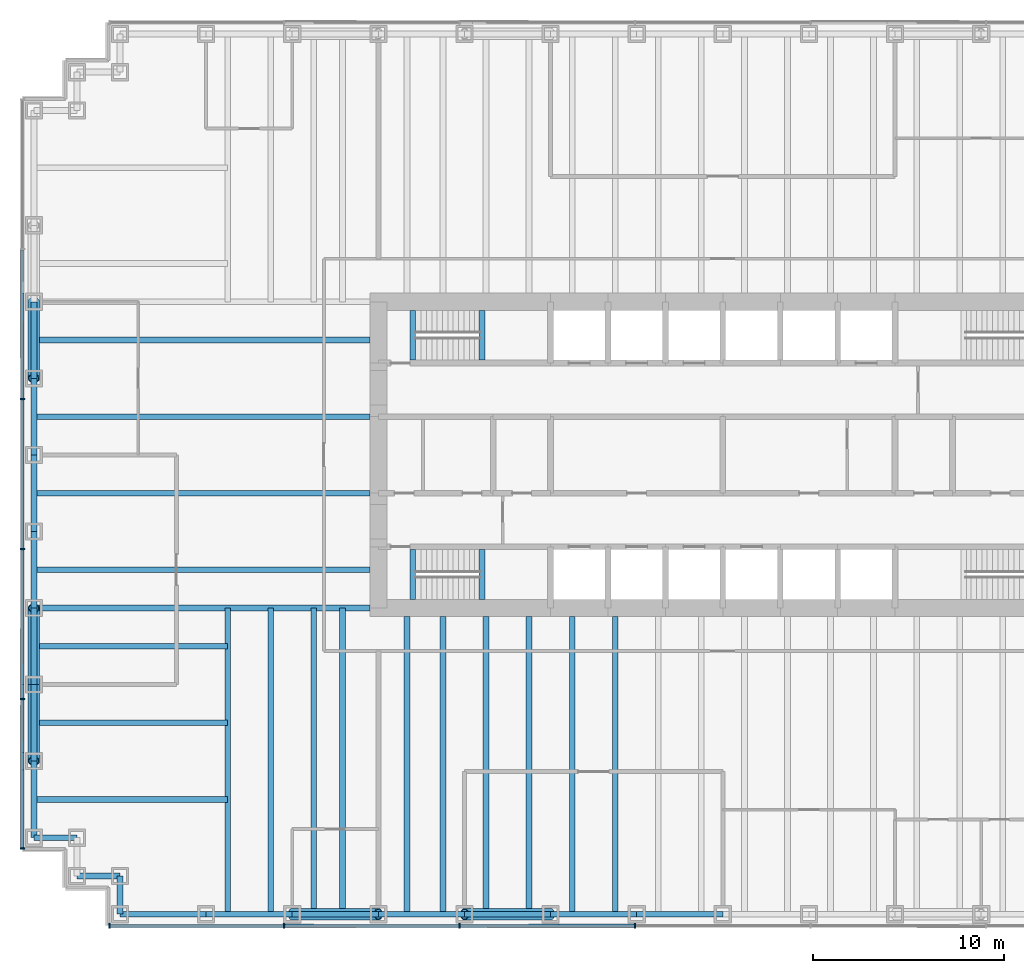
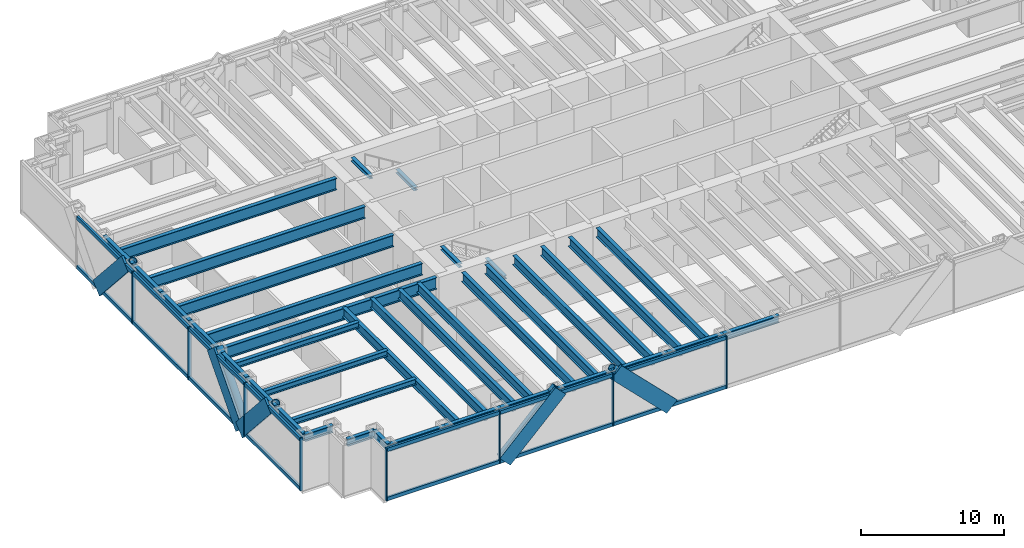
# One storey, part 2 of 13: 39 beams, 32 members, 2 elements without a shape of their own.
"""IFC4 building model written with IfcOpenShell, lengths in metres."""

from ifc_helpers import new_model, si_unit, direction, frame, origin, origin_2d, place, context, subcontext, project, spatial, rectangle, hollow_circle, i_section, extrude, material, material_profile, profile_set, type_object, element, aggregate, save


model = new_model("IFC4")

# Units and contexts
model_context = context("Model", 3, precision=1e-05, world=origin(), true_north=direction((0.0, 1.0)))
body_context = subcontext(model_context, "Body", "Model", "MODEL_VIEW")
ifc_project = project(units=[si_unit("LENGTHUNIT", "METRE"), si_unit("AREAUNIT", "SQUARE_METRE"), si_unit("VOLUMEUNIT", "CUBIC_METRE"), si_unit("PLANEANGLEUNIT", "RADIAN"), si_unit("MASSUNIT", "GRAM", prefix="KILO")], contexts=[model_context])

# Site, building, storey
site_placement = place(None, origin())
site = spatial("IfcSite", under=ifc_project, at=site_placement, CompositionType="ELEMENT")
building_placement = place(site_placement, origin())
building = spatial("IfcBuilding", under=site, at=building_placement, Name="Rheinbord Bourse Tower", CompositionType="ELEMENT")
storey_placement = place(building_placement, frame((0.0, 0.0, 72.5)))
storey = spatial("IfcBuildingStorey", under=building, at=storey_placement, Name="L15", CompositionType="ELEMENT", Elevation=72.5)

# Curtain wall, members
ifc_material_1 = material(Name="Dark glass and black aluminium", Category="aluminium")
curtain_wall_type = type_object("IfcCurtainWallType", Name="CW1 DARK GLASS CURTAIN WALL", PredefinedType="USERDEFINED", material=ifc_material_1)
curtain_wall_1_placement = place(storey_placement, origin())
curtain_wall_1 = element("IfcCurtainWall", 1, at=curtain_wall_1_placement, inside=storey, type_object=curtain_wall_type, Name="Curtain wall CW1 S L15", ObjectType="UNITISED CURTAIN WALL", PredefinedType="USERDEFINED")
ifc_material_2 = material(Name="Black anodised aluminium", Category="aluminium")
ifc_material_profile_1 = material_profile(ifc_material_2, rectangle(XDim=0.179931640625, YDim=1.2099609375, at=origin_2d()), Name="CW1 DIAGONAL MULLION 1210x180")
ifc_profile_set_1 = profile_set([ifc_material_profile_1], Name="Black anodised aluminium")
member_type_1 = type_object("IfcMemberType", Name="CW1 BLACK DIAGONAL MULLION", PredefinedType="USERDEFINED", material=ifc_profile_set_1)
member_1_placement = place(storey_placement, frame((13.5, -0.60009765625, 0.0), z_axis=(0.707106781187, 0.0, 0.707106781187), x_axis=(0.0, 1.0, 0.0)))
member_1 = element("IfcMember", 2, at=member_1_placement, type_object=member_type_1, Name="CW1 diagonal mullion b", ObjectType="DIAGONAL MULLION", PredefinedType="USERDEFINED", context=body_context, shape_type="SweptSolid", body=[
    extrude(rectangle(XDim=0.179931640625, YDim=1.2099609375, at=origin_2d()), origin(), (0.0, 0.0, 1.0), 6.364013671875),
])
member_2_placement = place(storey_placement, frame((27.0, -0.60009765625, 0.0), z_axis=(-0.707106781187, 0.0, 0.707106781187), x_axis=(0.0, -1.0, 0.0)))
member_2 = element("IfcMember", 3, at=member_2_placement, type_object=member_type_1, Name="CW1 diagonal mullion c", ObjectType="DIAGONAL MULLION", PredefinedType="USERDEFINED", context=body_context, shape_type="SweptSolid", body=[
    extrude(rectangle(XDim=0.179931640625, YDim=1.2099609375, at=origin_2d()), origin(), (0.0, 0.0, 1.0), 6.364013671875),
])

curtain_wall_2_placement = place(storey_placement, origin())
curtain_wall_2 = element("IfcCurtainWall", 4, at=curtain_wall_2_placement, inside=storey, type_object=curtain_wall_type, Name="Curtain wall CW1 W L15", ObjectType="UNITISED CURTAIN WALL", PredefinedType="USERDEFINED")
member_3_placement = place(storey_placement, frame((-0.60009765625, 12.0, 0.0), z_axis=(0.0, -0.66436383883, 0.747409318684), x_axis=(1.0, 0.0, 0.0)))
member_3 = element("IfcMember", 5, at=member_3_placement, type_object=member_type_1, Name="CW1 diagonal mullion a", ObjectType="DIAGONAL MULLION", PredefinedType="USERDEFINED", context=body_context, shape_type="SweptSolid", body=[
    extrude(rectangle(XDim=0.179931640625, YDim=1.2099609375, at=origin_2d()), origin(), (0.0, 0.0, 1.0), 6.020751953125),
])
member_4_placement = place(storey_placement, frame((-0.60009765625, 12.0, 0.0), z_axis=(0.0, 0.66436383883, 0.747409318684), x_axis=(-1.0, 0.0, 0.0)))
member_4 = element("IfcMember", 6, at=member_4_placement, type_object=member_type_1, Name="CW1 diagonal mullion c", ObjectType="DIAGONAL MULLION", PredefinedType="USERDEFINED", context=body_context, shape_type="SweptSolid", body=[
    extrude(rectangle(XDim=0.179931640625, YDim=1.2099609375, at=origin_2d()), origin(), (0.0, 0.0, 1.0), 6.020751953125),
])
member_5_placement = place(storey_placement, frame((-0.60009765625, 32.0, 0.0), z_axis=(0.0, -0.66436383883, 0.747409318684), x_axis=(1.0, 0.0, 0.0)))
member_5 = element("IfcMember", 7, at=member_5_placement, type_object=member_type_1, Name="CW1 diagonal mullion d", ObjectType="DIAGONAL MULLION", PredefinedType="USERDEFINED", context=body_context, shape_type="SweptSolid", body=[
    extrude(rectangle(XDim=0.179931640625, YDim=1.2099609375, at=origin_2d()), origin(), (0.0, 0.0, 1.0), 6.020751953125),
])

# Member
ifc_material_3 = material(Name="Black anodised aluminium", Category="aluminium")
ifc_material_profile_2 = material_profile(ifc_material_3, rectangle(XDim=0.25, YDim=0.080078125, at=origin_2d()), Name="CW1 MULLION 80x250")
ifc_profile_set_2 = profile_set([ifc_material_profile_2], Name="Black anodised aluminium")
member_type_2 = type_object("IfcMemberType", Name="CW1 BLACK MULLION", PredefinedType="MULLION", material=ifc_profile_set_2)
member_6_placement = place(storey_placement, frame((3.93994140625, -0.60009765625, 0.0), z_axis=(0.0, 0.0, 1.0), x_axis=(0.0, 1.0, 0.0)))
member_6 = element("IfcMember", 8, at=member_6_placement, type_object=member_type_2, Name="CW1 mullion 1", PredefinedType="MULLION", context=body_context, shape_type="SweptSolid", body=[
    extrude(rectangle(XDim=0.25, YDim=0.080078125, at=origin_2d()), origin(), (0.0, 0.0, 1.0), 4.5),
])

member_7_placement = place(storey_placement, frame((13.071533203125, -0.60009765625, 0.0), z_axis=(0.0, 0.0, 1.0), x_axis=(0.0, 1.0, 0.0)))
member_7 = element("IfcMember", 9, at=member_7_placement, type_object=member_type_2, Name="CW1 mullion 2", PredefinedType="MULLION", context=body_context, shape_type="SweptSolid", body=[
    extrude(rectangle(XDim=0.25, YDim=0.080078125, at=origin_2d()), origin(), (0.0, 0.0, 1.0), 4.5),
])

member_8_placement = place(storey_placement, frame((22.242919921875, -0.60009765625, 0.0), z_axis=(0.0, 0.0, 1.0), x_axis=(0.0, 1.0, 0.0)))
member_8 = element("IfcMember", 10, at=member_8_placement, type_object=member_type_2, Name="CW1 mullion 3", PredefinedType="MULLION", context=body_context, shape_type="SweptSolid", body=[
    extrude(rectangle(XDim=0.25, YDim=0.080078125, at=origin_2d()), origin(), (0.0, 0.0, 1.0), 4.5),
])

member_9_placement = place(storey_placement, frame((31.414306640625, -0.60009765625, 0.0), z_axis=(0.0, 0.0, 1.0), x_axis=(0.0, 1.0, 0.0)))
member_9 = element("IfcMember", 11, at=member_9_placement, type_object=member_type_2, Name="CW1 mullion 4", PredefinedType="MULLION", context=body_context, shape_type="SweptSolid", body=[
    extrude(rectangle(XDim=0.25, YDim=0.080078125, at=origin_2d()), origin(), (0.0, 0.0, 1.0), 4.5),
])

member_10_placement = place(storey_placement, frame((-0.60009765625, 26.919921875, 0.0), z_axis=(0.0, 0.0, 1.0), x_axis=(1.0, 0.0, 0.0)))
member_10 = element("IfcMember", 12, at=member_10_placement, type_object=member_type_2, Name="CW1 mullion 3", PredefinedType="MULLION", context=body_context, shape_type="SweptSolid", body=[
    extrude(rectangle(XDim=0.25, YDim=0.080078125, at=origin_2d()), origin(), (0.0, 0.0, 1.0), 4.5),
])

member_11_placement = place(storey_placement, frame((-0.60009765625, 19.080078125, 0.0), z_axis=(0.0, 0.0, 1.0), x_axis=(1.0, 0.0, 0.0)))
member_11 = element("IfcMember", 13, at=member_11_placement, type_object=member_type_2, Name="CW1 mullion 4", PredefinedType="MULLION", context=body_context, shape_type="SweptSolid", body=[
    extrude(rectangle(XDim=0.25, YDim=0.080078125, at=origin_2d()), origin(), (0.0, 0.0, 1.0), 4.5),
])

member_12_placement = place(storey_placement, frame((-0.60009765625, 11.239990234375, 0.0), z_axis=(0.0, 0.0, 1.0), x_axis=(1.0, 0.0, 0.0)))
member_12 = element("IfcMember", 14, at=member_12_placement, type_object=member_type_2, Name="CW1 mullion 5", PredefinedType="MULLION", context=body_context, shape_type="SweptSolid", body=[
    extrude(rectangle(XDim=0.25, YDim=0.080078125, at=origin_2d()), origin(), (0.0, 0.0, 1.0), 4.5),
])

member_13_placement = place(storey_placement, frame((-0.60009765625, 3.43994140625, 0.0), z_axis=(0.0, 0.0, 1.0), x_axis=(1.0, 0.0, 0.0)))
member_13 = element("IfcMember", 15, at=member_13_placement, type_object=member_type_2, Name="CW1 mullion 6", PredefinedType="MULLION", context=body_context, shape_type="SweptSolid", body=[
    extrude(rectangle(XDim=0.25, YDim=0.080078125, at=origin_2d()), origin(), (0.0, 0.0, 1.0), 4.5),
])

ifc_material_4 = material(Name="Black anodised aluminium", Category="aluminium")
ifc_material_profile_3 = material_profile(ifc_material_4, rectangle(XDim=0.179931640625, YDim=0.300048828125, at=origin_2d()), Name="CW1 TRANSOM 300x180")
ifc_profile_set_3 = profile_set([ifc_material_profile_3], Name="Black anodised aluminium")
member_type_3 = type_object("IfcMemberType", Name="CW1 BLACK TRANSOM", PredefinedType="USERDEFINED", material=ifc_profile_set_3)
member_14_placement = place(storey_placement, frame((3.97998046875, -0.60009765625, 0.14990234375), z_axis=(1.0, 0.0, 0.0), x_axis=(0.0, 1.0, 0.0)))
member_14 = element("IfcMember", 16, at=member_14_placement, type_object=member_type_3, Name="CW1 transom 1.1", ObjectType="TRANSOM", PredefinedType="USERDEFINED", context=body_context, shape_type="SweptSolid", body=[
    extrude(rectangle(XDim=0.179931640625, YDim=0.300048828125, at=origin_2d()), origin(), (0.0, 0.0, 1.0), 9.051513671875),
])

member_15_placement = place(storey_placement, frame((3.97998046875, -0.60009765625, 4.35009765625), z_axis=(1.0, 0.0, 0.0), x_axis=(0.0, 1.0, 0.0)))
member_15 = element("IfcMember", 17, at=member_15_placement, type_object=member_type_3, Name="CW1 transom 1.2", ObjectType="TRANSOM", PredefinedType="USERDEFINED", context=body_context, shape_type="SweptSolid", body=[
    extrude(rectangle(XDim=0.179931640625, YDim=0.300048828125, at=origin_2d()), origin(), (0.0, 0.0, 1.0), 9.051513671875),
])

member_16_placement = place(storey_placement, frame((13.111328125, -0.60009765625, 0.14990234375), z_axis=(1.0, 0.0, 0.0), x_axis=(0.0, 1.0, 0.0)))
member_16 = element("IfcMember", 18, at=member_16_placement, type_object=member_type_3, Name="CW1 transom 2.1", ObjectType="TRANSOM", PredefinedType="USERDEFINED", context=body_context, shape_type="SweptSolid", body=[
    extrude(rectangle(XDim=0.179931640625, YDim=0.300048828125, at=origin_2d()), origin(), (0.0, 0.0, 1.0), 9.091552734375),
])

member_17_placement = place(storey_placement, frame((13.111328125, -0.60009765625, 4.35009765625), z_axis=(1.0, 0.0, 0.0), x_axis=(0.0, 1.0, 0.0)))
member_17 = element("IfcMember", 19, at=member_17_placement, type_object=member_type_3, Name="CW1 transom 2.2", ObjectType="TRANSOM", PredefinedType="USERDEFINED", context=body_context, shape_type="SweptSolid", body=[
    extrude(rectangle(XDim=0.179931640625, YDim=0.300048828125, at=origin_2d()), origin(), (0.0, 0.0, 1.0), 9.091552734375),
])

member_18_placement = place(storey_placement, frame((22.282958984375, -0.60009765625, 0.14990234375), z_axis=(1.0, 0.0, 0.0), x_axis=(0.0, 1.0, 0.0)))
member_18 = element("IfcMember", 20, at=member_18_placement, type_object=member_type_3, Name="CW1 transom 3.1", ObjectType="TRANSOM", PredefinedType="USERDEFINED", context=body_context, shape_type="SweptSolid", body=[
    extrude(rectangle(XDim=0.179931640625, YDim=0.300048828125, at=origin_2d()), origin(), (0.0, 0.0, 1.0), 9.09130859375),
])

member_19_placement = place(storey_placement, frame((22.282958984375, -0.60009765625, 4.35009765625), z_axis=(1.0, 0.0, 0.0), x_axis=(0.0, 1.0, 0.0)))
member_19 = element("IfcMember", 21, at=member_19_placement, type_object=member_type_3, Name="CW1 transom 3.2", ObjectType="TRANSOM", PredefinedType="USERDEFINED", context=body_context, shape_type="SweptSolid", body=[
    extrude(rectangle(XDim=0.179931640625, YDim=0.300048828125, at=origin_2d()), origin(), (0.0, 0.0, 1.0), 9.09130859375),
])

aggregate(curtain_wall_1, [member_6, member_7, member_8, member_9, member_14, member_15, member_16, member_17, member_18, member_19, member_1, member_2])

member_20_placement = place(storey_placement, frame((-0.60009765625, 34.719970703125, 0.14990234375), z_axis=(0.0, -1.0, 0.0), x_axis=(1.0, 0.0, 0.0)))
member_20 = element("IfcMember", 22, at=member_20_placement, type_object=member_type_3, Name="CW1 transom 2.1", ObjectType="TRANSOM", PredefinedType="USERDEFINED", context=body_context, shape_type="SweptSolid", body=[
    extrude(rectangle(XDim=0.179931640625, YDim=0.300048828125, at=origin_2d()), origin(), (0.0, 0.0, 1.0), 7.760009765625),
])

member_21_placement = place(storey_placement, frame((-0.60009765625, 34.719970703125, 4.35009765625), z_axis=(0.0, -1.0, 0.0), x_axis=(1.0, 0.0, 0.0)))
member_21 = element("IfcMember", 23, at=member_21_placement, type_object=member_type_3, Name="CW1 transom 2.2", ObjectType="TRANSOM", PredefinedType="USERDEFINED", context=body_context, shape_type="SweptSolid", body=[
    extrude(rectangle(XDim=0.179931640625, YDim=0.300048828125, at=origin_2d()), origin(), (0.0, 0.0, 1.0), 7.760009765625),
])

member_22_placement = place(storey_placement, frame((-0.60009765625, 26.8798828125, 0.14990234375), z_axis=(0.0, -1.0, 0.0), x_axis=(1.0, 0.0, 0.0)))
member_22 = element("IfcMember", 24, at=member_22_placement, type_object=member_type_3, Name="CW1 transom 3.1", ObjectType="TRANSOM", PredefinedType="USERDEFINED", context=body_context, shape_type="SweptSolid", body=[
    extrude(rectangle(XDim=0.179931640625, YDim=0.300048828125, at=origin_2d()), origin(), (0.0, 0.0, 1.0), 7.759765625),
])

member_23_placement = place(storey_placement, frame((-0.60009765625, 26.8798828125, 4.35009765625), z_axis=(0.0, -1.0, 0.0), x_axis=(1.0, 0.0, 0.0)))
member_23 = element("IfcMember", 25, at=member_23_placement, type_object=member_type_3, Name="CW1 transom 3.2", ObjectType="TRANSOM", PredefinedType="USERDEFINED", context=body_context, shape_type="SweptSolid", body=[
    extrude(rectangle(XDim=0.179931640625, YDim=0.300048828125, at=origin_2d()), origin(), (0.0, 0.0, 1.0), 7.759765625),
])

member_24_placement = place(storey_placement, frame((-0.60009765625, 19.0400390625, 0.14990234375), z_axis=(0.0, -1.0, 0.0), x_axis=(1.0, 0.0, 0.0)))
member_24 = element("IfcMember", 26, at=member_24_placement, type_object=member_type_3, Name="CW1 transom 4.1", ObjectType="TRANSOM", PredefinedType="USERDEFINED", context=body_context, shape_type="SweptSolid", body=[
    extrude(rectangle(XDim=0.179931640625, YDim=0.300048828125, at=origin_2d()), origin(), (0.0, 0.0, 1.0), 7.760009765625),
])

member_25_placement = place(storey_placement, frame((-0.60009765625, 19.0400390625, 4.35009765625), z_axis=(0.0, -1.0, 0.0), x_axis=(1.0, 0.0, 0.0)))
member_25 = element("IfcMember", 27, at=member_25_placement, type_object=member_type_3, Name="CW1 transom 4.2", ObjectType="TRANSOM", PredefinedType="USERDEFINED", context=body_context, shape_type="SweptSolid", body=[
    extrude(rectangle(XDim=0.179931640625, YDim=0.300048828125, at=origin_2d()), origin(), (0.0, 0.0, 1.0), 7.760009765625),
])

member_26_placement = place(storey_placement, frame((-0.60009765625, 11.199951171875, 0.14990234375), z_axis=(0.0, -1.0, 0.0), x_axis=(1.0, 0.0, 0.0)))
member_26 = element("IfcMember", 28, at=member_26_placement, type_object=member_type_3, Name="CW1 transom 5.1", ObjectType="TRANSOM", PredefinedType="USERDEFINED", context=body_context, shape_type="SweptSolid", body=[
    extrude(rectangle(XDim=0.179931640625, YDim=0.300048828125, at=origin_2d()), origin(), (0.0, 0.0, 1.0), 7.719970703125),
])

member_27_placement = place(storey_placement, frame((-0.60009765625, 11.199951171875, 4.35009765625), z_axis=(0.0, -1.0, 0.0), x_axis=(1.0, 0.0, 0.0)))
member_27 = element("IfcMember", 29, at=member_27_placement, type_object=member_type_3, Name="CW1 transom 5.2", ObjectType="TRANSOM", PredefinedType="USERDEFINED", context=body_context, shape_type="SweptSolid", body=[
    extrude(rectangle(XDim=0.179931640625, YDim=0.300048828125, at=origin_2d()), origin(), (0.0, 0.0, 1.0), 7.719970703125),
])

aggregate(curtain_wall_2, [member_10, member_11, member_12, member_13, member_20, member_21, member_22, member_23, member_24, member_25, member_26, member_27, member_3, member_4, member_5])

# Beams
ifc_material_5 = material(Name="Steel S460", Category="steel")
ifc_material_profile_4 = material_profile(ifc_material_5, i_section(OverallWidth=0.302001953125, OverallDepth=1.008056640625, WebThickness=0.02099609375, FlangeThickness=0.0400390625, at=origin_2d()), Name="HEM 1000")
ifc_profile_set_4 = profile_set([ifc_material_profile_4], Name="Steel S460")
beam_type_1 = type_object("IfcBeamType", Name="END BEAM HEM 1000", PredefinedType="BEAM", material=ifc_profile_set_4)
for number, where, z_axis, x_axis, name in (
    (30, (0.0, 18.0, 3.81591796875), (1.0, 0.0, 0.0), (0.0, 1.0, 0.0), "End beam west 18 L16"),
    (31, (0.0, 22.0, 3.81591796875), (1.0, 0.0, 0.0), (0.0, 1.0, 0.0), "End beam west 22 L16"),
    (32, (0.0, 26.0, 3.81591796875), (1.0, 0.0, 0.0), (0.0, 1.0, 0.0), "End beam west 26 L16"),
    (33, (0.0, 30.0, 3.81591796875), (1.0, 0.0, 0.0), (0.0, 1.0, 0.0), "End beam west 30 L16"),
):
    element("IfcBeam", number, at=place(storey_placement, frame(where, z_axis=z_axis, x_axis=x_axis)), inside=storey, type_object=beam_type_1, Name=name, PredefinedType="BEAM", context=body_context, shape_type="SweptSolid", body=[
        extrude(i_section(OverallWidth=0.302001953125, OverallDepth=1.008056640625, WebThickness=0.02099609375, FlangeThickness=0.0400390625, at=origin_2d()), origin(), (0.0, 0.0, 1.0), 17.550048828125),
    ])
ifc_material_6 = material(Name="Steel S460", Category="steel")
ifc_material_profile_5 = material_profile(ifc_material_6, i_section(OverallWidth=0.300048828125, OverallDepth=0.800048828125, WebThickness=0.017578125, FlangeThickness=0.032958984375, at=origin_2d()), Name="HEB 800")
ifc_profile_set_5 = profile_set([ifc_material_profile_5], Name="Steel S460")
beam_type_2 = type_object("IfcBeamType", Name="FLOOR BEAM HEB 800", PredefinedType="BEAM", material=ifc_profile_set_5)
for number, where, z_axis, x_axis, name in (
    (34, (10.125, 0.0, 3.919921875), (0.0, 1.0, 0.0), (-1.0, 0.0, 0.0), "Floor beam S-9a L16"),
    (35, (12.375, 0.0, 3.919921875), (0.0, 1.0, 0.0), (-1.0, 0.0, 0.0), "Floor beam S-9b L16"),
    (36, (14.625, 0.0, 3.919921875), (0.0, 1.0, 0.0), (-1.0, 0.0, 0.0), "Floor beam S-13.5a L16"),
    (37, (16.125, 0.0, 3.919921875), (0.0, 1.0, 0.0), (-1.0, 0.0, 0.0), "Floor beam S-13.5b L16"),
):
    element("IfcBeam", number, at=place(storey_placement, frame(where, z_axis=z_axis, x_axis=x_axis)), inside=storey, type_object=beam_type_2, Name=name, PredefinedType="BEAM", context=body_context, shape_type="SweptSolid", body=[
        extrude(i_section(OverallWidth=0.300048828125, OverallDepth=0.800048828125, WebThickness=0.017578125, FlangeThickness=0.032958984375, at=origin_2d()), origin(), (0.0, 0.0, 1.0), 16.0),
    ])
for number, where, z_axis, x_axis, name in (
    (38, (19.5, 0.0, 3.919921875), (0.0, 1.0, 0.0), (-1.0, 0.0, 0.0), "Floor beam S-18a L16"),
    (39, (21.375, 0.0, 3.919921875), (0.0, 1.0, 0.0), (-1.0, 0.0, 0.0), "Floor beam S-18b L16"),
    (40, (23.625, 0.0, 3.919921875), (0.0, 1.0, 0.0), (-1.0, 0.0, 0.0), "Floor beam S-22.5a L16"),
    (41, (25.875, 0.0, 3.919921875), (0.0, 1.0, 0.0), (-1.0, 0.0, 0.0), "Floor beam S-22.5b L16"),
    (42, (28.125, 0.0, 3.919921875), (0.0, 1.0, 0.0), (-1.0, 0.0, 0.0), "Floor beam S-27a L16"),
    (43, (30.375, 0.0, 3.919921875), (0.0, 1.0, 0.0), (-1.0, 0.0, 0.0), "Floor beam S-27b L16"),
):
    element("IfcBeam", number, at=place(storey_placement, frame(where, z_axis=z_axis, x_axis=x_axis)), inside=storey, type_object=beam_type_2, Name=name, PredefinedType="BEAM", context=body_context, shape_type="SweptSolid", body=[
        extrude(i_section(OverallWidth=0.300048828125, OverallDepth=0.800048828125, WebThickness=0.017578125, FlangeThickness=0.032958984375, at=origin_2d()), origin(), (0.0, 0.0, 1.0), 15.550048828125),
    ])
ifc_material_7 = material(Name="Steel S460", Category="steel")
ifc_material_profile_6 = material_profile(ifc_material_7, i_section(OverallWidth=0.302001953125, OverallDepth=1.008056640625, WebThickness=0.02099609375, FlangeThickness=0.0400390625, at=origin_2d()), Name="HEM 1000")
ifc_profile_set_6 = profile_set([ifc_material_profile_6], Name="Steel S460")
beam_type_3 = type_object("IfcBeamType", Name="GIRDER HEM 1000", PredefinedType="BEAM", material=ifc_profile_set_6)
beam_1_placement = place(storey_placement, frame((0.0, 16.0, 3.81591796875), z_axis=(1.0, 0.0, 0.0), x_axis=(0.0, 1.0, 0.0)))
element("IfcBeam", 44, at=beam_1_placement, inside=storey, type_object=beam_type_3, Name="Girder west 16 L16", PredefinedType="BEAM", context=body_context, shape_type="SweptSolid", body=[
    extrude(i_section(OverallWidth=0.302001953125, OverallDepth=1.008056640625, WebThickness=0.02099609375, FlangeThickness=0.0400390625, at=origin_2d()), origin(), (0.0, 0.0, 1.0), 17.550048828125),
])
ifc_material_8 = material(Name="Steel S460", Category="steel")
ifc_material_profile_7 = material_profile(ifc_material_8, i_section(OverallWidth=0.300048828125, OverallDepth=0.300048828125, WebThickness=0.010986328125, FlangeThickness=0.01904296875, at=origin_2d()), Name="HEB 300")
ifc_profile_set_7 = profile_set([ifc_material_profile_7], Name="Steel S460")
beam_type_4 = type_object("IfcBeamType", Name="LANDING TRIMMER HEB 300", PredefinedType="BEAM", material=ifc_profile_set_7)
for number, where, z_axis, x_axis, name in (
    (45, (23.409912109375, 16.449951171875, 1.89990234375), (0.0, 1.0, 0.0), (-1.0, 0.0, 0.0), "Landing trimmer ST1 L15"),
    (46, (19.800048828125, 16.449951171875, 4.169921875), (0.0, 1.0, 0.0), (-1.0, 0.0, 0.0), "Well trimmer ST1 under L16"),
    (47, (23.409912109375, 28.949951171875, 1.89990234375), (0.0, 1.0, 0.0), (-1.0, 0.0, 0.0), "Landing trimmer ST2 L15"),
    (48, (19.800048828125, 28.949951171875, 4.169921875), (0.0, 1.0, 0.0), (-1.0, 0.0, 0.0), "Well trimmer ST2 under L16"),
):
    element("IfcBeam", number, at=place(storey_placement, frame(where, z_axis=z_axis, x_axis=x_axis)), inside=storey, type_object=beam_type_4, Name=name, PredefinedType="BEAM", context=body_context, shape_type="SweptSolid", body=[
        extrude(i_section(OverallWidth=0.300048828125, OverallDepth=0.300048828125, WebThickness=0.010986328125, FlangeThickness=0.01904296875, at=origin_2d()), origin(), (0.0, 0.0, 1.0), 2.60009765625),
    ])

# Members
ifc_material_9 = material(Name="Steel S460", Category="steel")
ifc_material_profile_8 = material_profile(ifc_material_9, hollow_circle(Radius=0.304931640625, WallThickness=0.050048828125, at=origin_2d()), Name="CHS 610x50")
ifc_profile_set_8 = profile_set([ifc_material_profile_8], Name="Steel S460")
member_type_4 = type_object("IfcMemberType", Name="MEGABRACE CHS 610x50", PredefinedType="BRACE", material=ifc_profile_set_8)
for number, where, z_axis, x_axis, name in (
    (49, (13.5, 0.0, 0.0), (0.707106781187, 0.0, 0.707106781187), (0.0, 1.0, 0.0), "Megabrace S face line b L15"),
    (50, (27.0, 0.0, 0.0), (-0.707106781187, 0.0, 0.707106781187), (0.0, -1.0, 0.0), "Megabrace S face line c L15"),
):
    element("IfcMember", number, at=place(storey_placement, frame(where, z_axis=z_axis, x_axis=x_axis)), inside=storey, type_object=member_type_4, Name=name, PredefinedType="BRACE", context=body_context, shape_type="SweptSolid", body=[
        extrude(hollow_circle(Radius=0.304931640625, WallThickness=0.050048828125, at=origin_2d()), origin(), (0.0, 0.0, 1.0), 6.364013671875),
    ])
for number, where, z_axis, x_axis, name in (
    (51, (0.0, 12.0, 0.0), (0.0, -0.66436383883, 0.747409318684), (1.0, 0.0, 0.0), "Megabrace W face line a L15"),
    (52, (0.0, 12.0, 0.0), (0.0, 0.66436383883, 0.747409318684), (-1.0, 0.0, 0.0), "Megabrace W face line c L15"),
    (53, (0.0, 32.0, 0.0), (0.0, -0.66436383883, 0.747409318684), (1.0, 0.0, 0.0), "Megabrace W face line d L15"),
):
    element("IfcMember", number, at=place(storey_placement, frame(where, z_axis=z_axis, x_axis=x_axis)), inside=storey, type_object=member_type_4, Name=name, PredefinedType="BRACE", context=body_context, shape_type="SweptSolid", body=[
        extrude(hollow_circle(Radius=0.304931640625, WallThickness=0.050048828125, at=origin_2d()), origin(), (0.0, 0.0, 1.0), 6.020751953125),
    ])

# Beams
ifc_material_10 = material(Name="Steel S460", Category="steel")
ifc_material_profile_9 = material_profile(ifc_material_10, i_section(OverallWidth=0.304931640625, OverallDepth=0.6201171875, WebThickness=0.02099609375, FlangeThickness=0.0400390625, at=origin_2d()), Name="HEM 600")
ifc_profile_set_9 = profile_set([ifc_material_profile_9], Name="Steel S460")
beam_type_5 = type_object("IfcBeamType", Name="SPANDREL HEM 600", PredefinedType="SPANDREL", material=ifc_profile_set_9)
for number, where, z_axis, x_axis, name in (
    (54, (4.5, 0.0, 4.010009765625), (1.0, 0.0, 0.0), (0.0, 1.0, 0.0), "Spandrel SW-E-S-9 under L16"),
    (55, (9.0, 0.0, 4.010009765625), (1.0, 0.0, 0.0), (0.0, 1.0, 0.0), "Spandrel S-9-S-13.5 under L16"),
    (56, (13.5, 0.0, 4.010009765625), (1.0, 0.0, 0.0), (0.0, 1.0, 0.0), "Spandrel S-13.5-S-18 under L16"),
    (57, (18.0, 0.0, 4.010009765625), (1.0, 0.0, 0.0), (0.0, 1.0, 0.0), "Spandrel S-18-S-22.5 under L16"),
    (58, (22.5, 0.0, 4.010009765625), (1.0, 0.0, 0.0), (0.0, 1.0, 0.0), "Spandrel S-22.5-S-27 under L16"),
    (59, (27.0, 0.0, 4.010009765625), (1.0, 0.0, 0.0), (0.0, 1.0, 0.0), "Spandrel S-27-S-31.5 under L16"),
    (60, (31.5, 0.0, 4.010009765625), (1.0, 0.0, 0.0), (0.0, 1.0, 0.0), "Spandrel S-31.5-S-36 under L16"),
):
    element("IfcBeam", number, at=place(storey_placement, frame(where, z_axis=z_axis, x_axis=x_axis)), inside=storey, type_object=beam_type_5, Name=name, PredefinedType="SPANDREL", context=body_context, shape_type="SweptSolid", body=[
        extrude(i_section(OverallWidth=0.304931640625, OverallDepth=0.6201171875, WebThickness=0.02099609375, FlangeThickness=0.0400390625, at=origin_2d()), origin(), (0.0, 0.0, 1.0), 4.5),
    ])
for number, where, z_axis, x_axis, name in (
    (61, (0.0, 32.0, 4.010009765625), (0.0, -1.0, 0.0), (1.0, 0.0, 0.0), "Spandrel W-32-W-28 under L16"),
    (62, (0.0, 28.0, 4.010009765625), (0.0, -1.0, 0.0), (1.0, 0.0, 0.0), "Spandrel W-28-W-24 under L16"),
    (63, (0.0, 24.0, 4.010009765625), (0.0, -1.0, 0.0), (1.0, 0.0, 0.0), "Spandrel W-24-W-20 under L16"),
    (64, (0.0, 20.0, 4.010009765625), (0.0, -1.0, 0.0), (1.0, 0.0, 0.0), "Spandrel W-20-W-16 under L16"),
    (65, (0.0, 16.0, 4.010009765625), (0.0, -1.0, 0.0), (1.0, 0.0, 0.0), "Spandrel W-16-W-12 under L16"),
    (66, (0.0, 12.0, 4.010009765625), (0.0, -1.0, 0.0), (1.0, 0.0, 0.0), "Spandrel W-12-W-8 under L16"),
    (67, (0.0, 8.0, 4.010009765625), (0.0, -1.0, 0.0), (1.0, 0.0, 0.0), "Spandrel W-8-SW-A under L16"),
):
    element("IfcBeam", number, at=place(storey_placement, frame(where, z_axis=z_axis, x_axis=x_axis)), inside=storey, type_object=beam_type_5, Name=name, PredefinedType="SPANDREL", context=body_context, shape_type="SweptSolid", body=[
        extrude(i_section(OverallWidth=0.304931640625, OverallDepth=0.6201171875, WebThickness=0.02099609375, FlangeThickness=0.0400390625, at=origin_2d()), origin(), (0.0, 0.0, 1.0), 4.0),
    ])
for number, where, z_axis, x_axis, name in (
    (68, (0.0, 4.0, 4.010009765625), (1.0, 0.0, 0.0), (0.0, 1.0, 0.0), "Spandrel SW-A-SW-B under L16"),
    (69, (2.25, 2.0, 4.010009765625), (1.0, 0.0, 0.0), (0.0, 1.0, 0.0), "Spandrel SW-C-SW-D under L16"),
):
    element("IfcBeam", number, at=place(storey_placement, frame(where, z_axis=z_axis, x_axis=x_axis)), inside=storey, type_object=beam_type_5, Name=name, PredefinedType="SPANDREL", context=body_context, shape_type="SweptSolid", body=[
        extrude(i_section(OverallWidth=0.304931640625, OverallDepth=0.6201171875, WebThickness=0.02099609375, FlangeThickness=0.0400390625, at=origin_2d()), origin(), (0.0, 0.0, 1.0), 2.25),
    ])
beam_2_placement = place(storey_placement, frame((4.5, 2.0, 4.010009765625), z_axis=(0.0, -1.0, 0.0), x_axis=(1.0, 0.0, 0.0)))
element("IfcBeam", 70, at=beam_2_placement, inside=storey, type_object=beam_type_5, Name="Spandrel SW-D-SW-E under L16", PredefinedType="SPANDREL", context=body_context, shape_type="SweptSolid", body=[
    extrude(i_section(OverallWidth=0.304931640625, OverallDepth=0.6201171875, WebThickness=0.02099609375, FlangeThickness=0.0400390625, at=origin_2d()), origin(), (0.0, 0.0, 1.0), 2.0),
])
ifc_material_11 = material(Name="Steel S460", Category="steel")
ifc_material_profile_10 = material_profile(ifc_material_11, i_section(OverallWidth=0.300048828125, OverallDepth=0.5, WebThickness=0.014404296875, FlangeThickness=0.028076171875, at=origin_2d()), Name="HEB 500")
ifc_profile_set_10 = profile_set([ifc_material_profile_10], Name="Steel S460")
beam_type_6 = type_object("IfcBeamType", Name="TIE BEAM HEB 500", PredefinedType="JOIST", material=ifc_profile_set_10)
for number, where, z_axis, x_axis, name in (
    (71, (0.0, 6.0, 4.070068359375), (1.0, 0.0, 0.0), (0.0, 1.0, 0.0), "Tie west 6 L16"),
    (72, (0.0, 10.0, 4.070068359375), (1.0, 0.0, 0.0), (0.0, 1.0, 0.0), "Tie west 10 L16"),
    (73, (0.0, 14.0, 4.070068359375), (1.0, 0.0, 0.0), (0.0, 1.0, 0.0), "Tie west 14 L16"),
):
    element("IfcBeam", number, at=place(storey_placement, frame(where, z_axis=z_axis, x_axis=x_axis)), inside=storey, type_object=beam_type_6, Name=name, PredefinedType="JOIST", context=body_context, shape_type="SweptSolid", body=[
        extrude(i_section(OverallWidth=0.300048828125, OverallDepth=0.5, WebThickness=0.014404296875, FlangeThickness=0.028076171875, at=origin_2d()), origin(), (0.0, 0.0, 1.0), 10.125),
    ])

save(model, "model.ifc")
